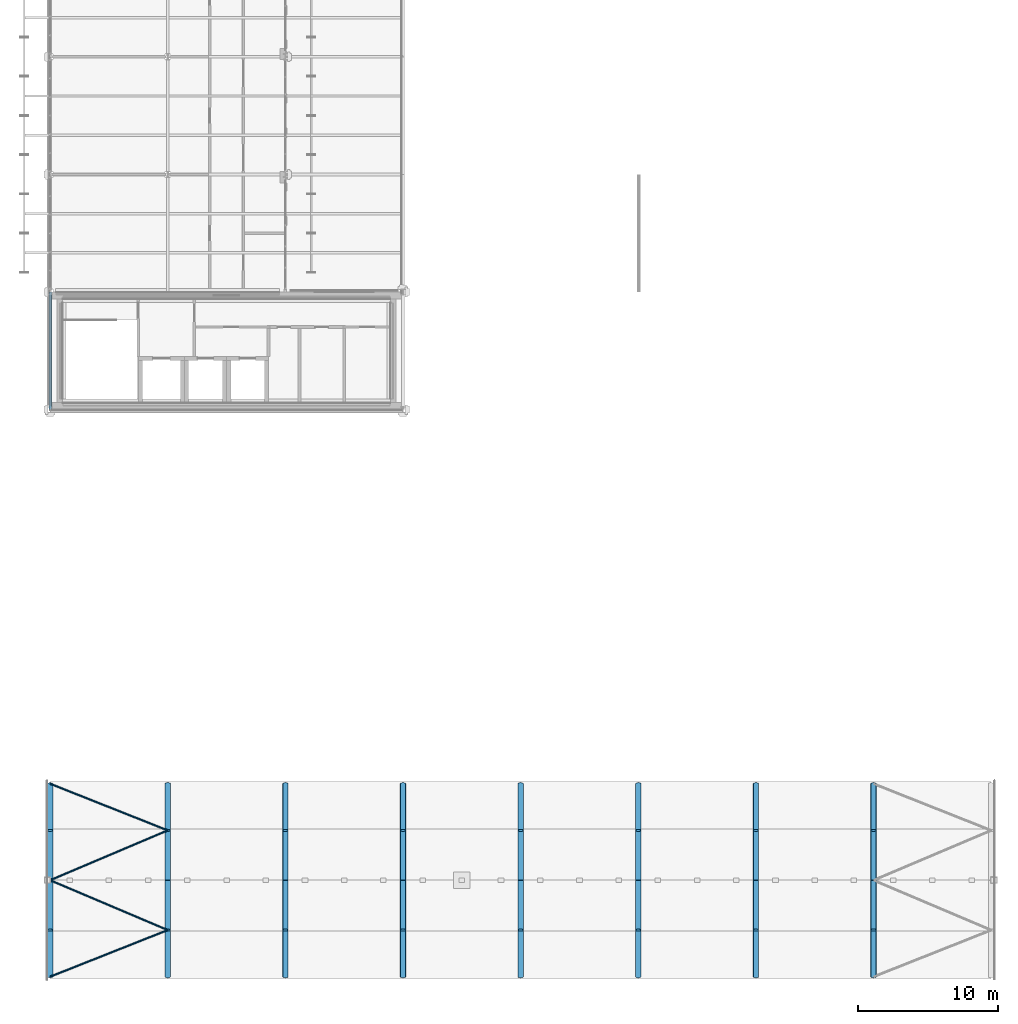
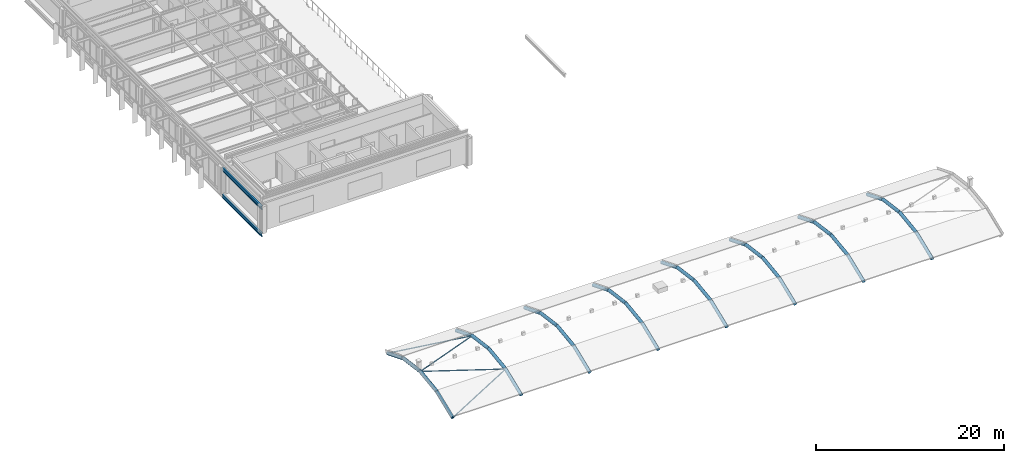
# One storey, part 3 of 31: 36 members, 2 beams.
"""IFC4 building model written with IfcOpenShell, lengths in metres."""

from ifc_helpers import new_model, si_unit, direction, frame, origin, origin_2d, place, context, subcontext, project, spatial, hollow_circle, i_section, extrude, material, material_profile, profile_set, type_object, element, save


model = new_model("IFC4")

# Units and contexts
model_context = context("Model", 3, precision=1e-05, world=origin(), true_north=direction((0.0, 1.0)))
body_context = subcontext(model_context, "Body", "Model", "MODEL_VIEW")
ifc_project = project(units=[si_unit("LENGTHUNIT", "METRE"), si_unit("AREAUNIT", "SQUARE_METRE"), si_unit("VOLUMEUNIT", "CUBIC_METRE"), si_unit("PLANEANGLEUNIT", "RADIAN"), si_unit("MASSUNIT", "GRAM", prefix="KILO")], contexts=[model_context])

# Site, building, storey
site_placement = place(None, origin())
site = spatial("IfcSite", under=ifc_project, at=site_placement, CompositionType="ELEMENT")
building_placement = place(site_placement, origin())
building = spatial("IfcBuilding", under=site, at=building_placement, Name="Catenary Quay Ferry Terminal", CompositionType="ELEMENT")
storey_placement = place(building_placement, frame((0.0, 0.0, 20.60009765625)))
storey = spatial("IfcBuildingStorey", under=building, at=storey_placement, Name="L04", CompositionType="ELEMENT", Elevation=20.60009765625)

# Beams
ifc_material_1 = material(Name="Steel S355", Category="steel")
ifc_material_profile_1 = material_profile(ifc_material_1, i_section(OverallWidth=0.18994140625, OverallDepth=0.453369140625, WebThickness=0.008544921875, FlangeThickness=0.0126953125, at=origin_2d()), Name="UB 457x191x67")
ifc_profile_set_1 = profile_set([ifc_material_profile_1], Name="Steel S355")
beam_type = type_object("IfcBeamType", Name="B1 UB 457x191x67", PredefinedType="BEAM", material=ifc_profile_set_1)
for number, where, z_axis, x_axis, name in (
    (1, (25.199951171875, 159.60009765625, -0.47705078125), (0.0, 1.0, 0.0), (-1.0, 0.0, 0.0), "Beam B1-010"),
    (2, (25.199951171875, 159.60009765625, 3.02294921875), (0.0, 1.0, 0.0), (-1.0, 0.0, 0.0), "Beam B1-007"),
):
    element("IfcBeam", number, at=place(storey_placement, frame(where, z_axis=z_axis, x_axis=x_axis)), inside=storey, type_object=beam_type, Name=name, PredefinedType="BEAM", context=body_context, shape_type="SweptSolid", body=[
        extrude(i_section(OverallWidth=0.18994140625, OverallDepth=0.453369140625, WebThickness=0.008544921875, FlangeThickness=0.0126953125, at=origin_2d()), origin(), (0.0, 0.0, 1.0), 8.39990234375),
    ])

# Members
ifc_material_2 = material(Name="Steel S355", Category="steel")
ifc_material_profile_2 = material_profile(ifc_material_2, hollow_circle(Radius=0.06982421875, WallThickness=0.008056640625, at=origin_2d()), Name="CHS 139.7x8")
ifc_profile_set_2 = profile_set([ifc_material_profile_2], Name="Steel S355")
member_type_1 = type_object("IfcMemberType", Name="BR1 CHS 139.7x8", PredefinedType="BRACE", material=ifc_profile_set_2)
member_1_placement = place(storey_placement, frame((25.199951171875, 119.110107421875, 0.386962890625), z_axis=(0.919578999052, 0.364629763829, 0.146354363903), x_axis=(-0.368598751281, 0.929588597474, 0.0)))
element("IfcMember", 3, at=member_1_placement, inside=storey, type_object=member_type_1, Name="Roof brace BR-VD-01-05", PredefinedType="BRACE", context=body_context, shape_type="SweptSolid", body=[
    extrude(hollow_circle(Radius=0.06982421875, WallThickness=0.008056640625, at=origin_2d()), origin(), (0.0, 0.0, 1.0), 9.134765625),
])
for number, where, z_axis, x_axis, name in (
    (4, (33.60009765625, 122.44091796875, 1.723876953125), (-0.91951247971, 0.38959086608, 0.052112922819), (-0.390120963043, -0.920763614721, 0.0), "Roof brace BR-VD-01-06"),
    (5, (25.199951171875, 126.0, 2.199951171875), (0.91951247971, 0.38959086608, -0.052112922819), (-0.390120963043, 0.920763614721, 0.0), "Roof brace BR-VD-01-07"),
):
    element("IfcMember", number, at=place(storey_placement, frame(where, z_axis=z_axis, x_axis=x_axis)), inside=storey, type_object=member_type_1, Name=name, PredefinedType="BRACE", context=body_context, shape_type="SweptSolid", body=[
        extrude(hollow_circle(Radius=0.06982421875, WallThickness=0.008056640625, at=origin_2d()), origin(), (0.0, 0.0, 1.0), 9.135498046875),
    ])
member_2_placement = place(storey_placement, frame((33.60009765625, 129.55908203125, 1.723876953125), z_axis=(-0.919578999052, 0.364629763829, -0.146354363903), x_axis=(-0.368598751281, -0.929588597474, 0.0)))
element("IfcMember", 6, at=member_2_placement, inside=storey, type_object=member_type_1, Name="Roof brace BR-VD-01-08", PredefinedType="BRACE", context=body_context, shape_type="SweptSolid", body=[
    extrude(hollow_circle(Radius=0.06982421875, WallThickness=0.008056640625, at=origin_2d()), origin(), (0.0, 0.0, 1.0), 9.134765625),
])
ifc_material_3 = material(Name="Steel S355", Category="steel")
ifc_material_profile_3 = material_profile(ifc_material_3, hollow_circle(Radius=0.203125, WallThickness=0.01611328125, at=origin_2d()), Name="CHS 406.4x16")
ifc_profile_set_3 = profile_set([ifc_material_profile_3], Name="Steel S355")
member_type_2 = type_object("IfcMemberType", Name="VR3 CHS 406.4x16", PredefinedType="RAFTER", material=ifc_profile_set_3)
member_3_placement = place(storey_placement, frame((25.199951171875, 119.110107421875, 0.386962890625), z_axis=(0.0, 0.928035060995, 0.372492853039), x_axis=(-1.0, 0.0, 0.0)))
element("IfcMember", 7, at=member_3_placement, inside=storey, type_object=member_type_2, Name="Vault rib VD-01-05", PredefinedType="RAFTER", context=body_context, shape_type="SweptSolid", body=[
    extrude(hollow_circle(Radius=0.203125, WallThickness=0.01611328125, at=origin_2d()), origin(), (0.0, 0.0, 1.0), 3.589111328125),
])
for number, where, z_axis, x_axis, name in (
    (8, (25.199951171875, 122.44091796875, 1.723876953125), (0.0, 0.991171994386, 0.132582342506), (-1.0, 0.0, 0.0), "Vault rib VD-01-06"),
    (9, (25.199951171875, 126.0, 2.199951171875), (0.0, 0.991171994386, -0.132582342506), (-1.0, 0.0, 0.0), "Vault rib VD-01-07"),
):
    element("IfcMember", number, at=place(storey_placement, frame(where, z_axis=z_axis, x_axis=x_axis)), inside=storey, type_object=member_type_2, Name=name, PredefinedType="RAFTER", context=body_context, shape_type="SweptSolid", body=[
        extrude(hollow_circle(Radius=0.203125, WallThickness=0.01611328125, at=origin_2d()), origin(), (0.0, 0.0, 1.0), 3.5908203125),
    ])
for number, where, z_axis, x_axis, name in (
    (10, (25.199951171875, 129.55908203125, 1.723876953125), (0.0, 0.928035060995, -0.372492853039), (-1.0, 0.0, 0.0), "Vault rib VD-01-08"),
    (11, (33.60009765625, 119.110107421875, 0.386962890625), (0.0, 0.928035060995, 0.372492853039), (-1.0, 0.0, 0.0), "Vault rib VD-02-05"),
):
    element("IfcMember", number, at=place(storey_placement, frame(where, z_axis=z_axis, x_axis=x_axis)), inside=storey, type_object=member_type_2, Name=name, PredefinedType="RAFTER", context=body_context, shape_type="SweptSolid", body=[
        extrude(hollow_circle(Radius=0.203125, WallThickness=0.01611328125, at=origin_2d()), origin(), (0.0, 0.0, 1.0), 3.589111328125),
    ])
for number, where, z_axis, x_axis, name in (
    (12, (33.60009765625, 122.44091796875, 1.723876953125), (0.0, 0.991171994386, 0.132582342506), (-1.0, 0.0, 0.0), "Vault rib VD-02-06"),
    (13, (33.60009765625, 126.0, 2.199951171875), (0.0, 0.991171994386, -0.132582342506), (-1.0, 0.0, 0.0), "Vault rib VD-02-07"),
):
    element("IfcMember", number, at=place(storey_placement, frame(where, z_axis=z_axis, x_axis=x_axis)), inside=storey, type_object=member_type_2, Name=name, PredefinedType="RAFTER", context=body_context, shape_type="SweptSolid", body=[
        extrude(hollow_circle(Radius=0.203125, WallThickness=0.01611328125, at=origin_2d()), origin(), (0.0, 0.0, 1.0), 3.5908203125),
    ])
for number, where, z_axis, x_axis, name in (
    (14, (33.60009765625, 129.55908203125, 1.723876953125), (0.0, 0.928035060995, -0.372492853039), (-1.0, 0.0, 0.0), "Vault rib VD-02-08"),
    (15, (42.0, 119.110107421875, 0.386962890625), (0.0, 0.928035060995, 0.372492853039), (-1.0, 0.0, 0.0), "Vault rib VD-03-05"),
):
    element("IfcMember", number, at=place(storey_placement, frame(where, z_axis=z_axis, x_axis=x_axis)), inside=storey, type_object=member_type_2, Name=name, PredefinedType="RAFTER", context=body_context, shape_type="SweptSolid", body=[
        extrude(hollow_circle(Radius=0.203125, WallThickness=0.01611328125, at=origin_2d()), origin(), (0.0, 0.0, 1.0), 3.589111328125),
    ])
for number, where, z_axis, x_axis, name in (
    (16, (42.0, 122.44091796875, 1.723876953125), (0.0, 0.991171994386, 0.132582342506), (-1.0, 0.0, 0.0), "Vault rib VD-03-06"),
    (17, (42.0, 126.0, 2.199951171875), (0.0, 0.991171994386, -0.132582342506), (-1.0, 0.0, 0.0), "Vault rib VD-03-07"),
):
    element("IfcMember", number, at=place(storey_placement, frame(where, z_axis=z_axis, x_axis=x_axis)), inside=storey, type_object=member_type_2, Name=name, PredefinedType="RAFTER", context=body_context, shape_type="SweptSolid", body=[
        extrude(hollow_circle(Radius=0.203125, WallThickness=0.01611328125, at=origin_2d()), origin(), (0.0, 0.0, 1.0), 3.5908203125),
    ])
for number, where, z_axis, x_axis, name in (
    (18, (42.0, 129.55908203125, 1.723876953125), (0.0, 0.928035060995, -0.372492853039), (-1.0, 0.0, 0.0), "Vault rib VD-03-08"),
    (19, (50.39990234375, 119.110107421875, 0.386962890625), (0.0, 0.928035060995, 0.372492853039), (-1.0, 0.0, 0.0), "Vault rib VD-04-05"),
):
    element("IfcMember", number, at=place(storey_placement, frame(where, z_axis=z_axis, x_axis=x_axis)), inside=storey, type_object=member_type_2, Name=name, PredefinedType="RAFTER", context=body_context, shape_type="SweptSolid", body=[
        extrude(hollow_circle(Radius=0.203125, WallThickness=0.01611328125, at=origin_2d()), origin(), (0.0, 0.0, 1.0), 3.589111328125),
    ])
for number, where, z_axis, x_axis, name in (
    (20, (50.39990234375, 122.44091796875, 1.723876953125), (0.0, 0.991171994386, 0.132582342506), (-1.0, 0.0, 0.0), "Vault rib VD-04-06"),
    (21, (50.39990234375, 126.0, 2.199951171875), (0.0, 0.991171994386, -0.132582342506), (-1.0, 0.0, 0.0), "Vault rib VD-04-07"),
):
    element("IfcMember", number, at=place(storey_placement, frame(where, z_axis=z_axis, x_axis=x_axis)), inside=storey, type_object=member_type_2, Name=name, PredefinedType="RAFTER", context=body_context, shape_type="SweptSolid", body=[
        extrude(hollow_circle(Radius=0.203125, WallThickness=0.01611328125, at=origin_2d()), origin(), (0.0, 0.0, 1.0), 3.5908203125),
    ])
for number, where, z_axis, x_axis, name in (
    (22, (50.39990234375, 129.55908203125, 1.723876953125), (0.0, 0.928035060995, -0.372492853039), (-1.0, 0.0, 0.0), "Vault rib VD-04-08"),
    (23, (58.800048828125, 119.110107421875, 0.386962890625), (0.0, 0.928035060995, 0.372492853039), (-1.0, 0.0, 0.0), "Vault rib VD-05-05"),
):
    element("IfcMember", number, at=place(storey_placement, frame(where, z_axis=z_axis, x_axis=x_axis)), inside=storey, type_object=member_type_2, Name=name, PredefinedType="RAFTER", context=body_context, shape_type="SweptSolid", body=[
        extrude(hollow_circle(Radius=0.203125, WallThickness=0.01611328125, at=origin_2d()), origin(), (0.0, 0.0, 1.0), 3.589111328125),
    ])
for number, where, z_axis, x_axis, name in (
    (24, (58.800048828125, 122.44091796875, 1.723876953125), (0.0, 0.991171994386, 0.132582342506), (-1.0, 0.0, 0.0), "Vault rib VD-05-06"),
    (25, (58.800048828125, 126.0, 2.199951171875), (0.0, 0.991171994386, -0.132582342506), (-1.0, 0.0, 0.0), "Vault rib VD-05-07"),
):
    element("IfcMember", number, at=place(storey_placement, frame(where, z_axis=z_axis, x_axis=x_axis)), inside=storey, type_object=member_type_2, Name=name, PredefinedType="RAFTER", context=body_context, shape_type="SweptSolid", body=[
        extrude(hollow_circle(Radius=0.203125, WallThickness=0.01611328125, at=origin_2d()), origin(), (0.0, 0.0, 1.0), 3.5908203125),
    ])
for number, where, z_axis, x_axis, name in (
    (26, (58.800048828125, 129.55908203125, 1.723876953125), (0.0, 0.928035060995, -0.372492853039), (-1.0, 0.0, 0.0), "Vault rib VD-05-08"),
    (27, (67.199951171875, 119.110107421875, 0.386962890625), (0.0, 0.928035060995, 0.372492853039), (-1.0, 0.0, 0.0), "Vault rib VD-06-05"),
):
    element("IfcMember", number, at=place(storey_placement, frame(where, z_axis=z_axis, x_axis=x_axis)), inside=storey, type_object=member_type_2, Name=name, PredefinedType="RAFTER", context=body_context, shape_type="SweptSolid", body=[
        extrude(hollow_circle(Radius=0.203125, WallThickness=0.01611328125, at=origin_2d()), origin(), (0.0, 0.0, 1.0), 3.589111328125),
    ])
for number, where, z_axis, x_axis, name in (
    (28, (67.199951171875, 122.44091796875, 1.723876953125), (0.0, 0.991171994386, 0.132582342506), (-1.0, 0.0, 0.0), "Vault rib VD-06-06"),
    (29, (67.199951171875, 126.0, 2.199951171875), (0.0, 0.991171994386, -0.132582342506), (-1.0, 0.0, 0.0), "Vault rib VD-06-07"),
):
    element("IfcMember", number, at=place(storey_placement, frame(where, z_axis=z_axis, x_axis=x_axis)), inside=storey, type_object=member_type_2, Name=name, PredefinedType="RAFTER", context=body_context, shape_type="SweptSolid", body=[
        extrude(hollow_circle(Radius=0.203125, WallThickness=0.01611328125, at=origin_2d()), origin(), (0.0, 0.0, 1.0), 3.5908203125),
    ])
for number, where, z_axis, x_axis, name in (
    (30, (67.199951171875, 129.55908203125, 1.723876953125), (0.0, 0.928035060995, -0.372492853039), (-1.0, 0.0, 0.0), "Vault rib VD-06-08"),
    (31, (75.60009765625, 119.110107421875, 0.386962890625), (0.0, 0.928035060995, 0.372492853039), (-1.0, 0.0, 0.0), "Vault rib VD-07-05"),
):
    element("IfcMember", number, at=place(storey_placement, frame(where, z_axis=z_axis, x_axis=x_axis)), inside=storey, type_object=member_type_2, Name=name, PredefinedType="RAFTER", context=body_context, shape_type="SweptSolid", body=[
        extrude(hollow_circle(Radius=0.203125, WallThickness=0.01611328125, at=origin_2d()), origin(), (0.0, 0.0, 1.0), 3.589111328125),
    ])
for number, where, z_axis, x_axis, name in (
    (32, (75.60009765625, 122.44091796875, 1.723876953125), (0.0, 0.991171994386, 0.132582342506), (-1.0, 0.0, 0.0), "Vault rib VD-07-06"),
    (33, (75.60009765625, 126.0, 2.199951171875), (0.0, 0.991171994386, -0.132582342506), (-1.0, 0.0, 0.0), "Vault rib VD-07-07"),
):
    element("IfcMember", number, at=place(storey_placement, frame(where, z_axis=z_axis, x_axis=x_axis)), inside=storey, type_object=member_type_2, Name=name, PredefinedType="RAFTER", context=body_context, shape_type="SweptSolid", body=[
        extrude(hollow_circle(Radius=0.203125, WallThickness=0.01611328125, at=origin_2d()), origin(), (0.0, 0.0, 1.0), 3.5908203125),
    ])
for number, where, z_axis, x_axis, name in (
    (34, (75.60009765625, 129.55908203125, 1.723876953125), (0.0, 0.928035060995, -0.372492853039), (-1.0, 0.0, 0.0), "Vault rib VD-07-08"),
    (35, (84.0, 119.110107421875, 0.386962890625), (0.0, 0.928035060995, 0.372492853039), (-1.0, 0.0, 0.0), "Vault rib VD-08-05"),
):
    element("IfcMember", number, at=place(storey_placement, frame(where, z_axis=z_axis, x_axis=x_axis)), inside=storey, type_object=member_type_2, Name=name, PredefinedType="RAFTER", context=body_context, shape_type="SweptSolid", body=[
        extrude(hollow_circle(Radius=0.203125, WallThickness=0.01611328125, at=origin_2d()), origin(), (0.0, 0.0, 1.0), 3.589111328125),
    ])
for number, where, z_axis, x_axis, name in (
    (36, (84.0, 122.44091796875, 1.723876953125), (0.0, 0.991171994386, 0.132582342506), (-1.0, 0.0, 0.0), "Vault rib VD-08-06"),
    (37, (84.0, 126.0, 2.199951171875), (0.0, 0.991171994386, -0.132582342506), (-1.0, 0.0, 0.0), "Vault rib VD-08-07"),
):
    element("IfcMember", number, at=place(storey_placement, frame(where, z_axis=z_axis, x_axis=x_axis)), inside=storey, type_object=member_type_2, Name=name, PredefinedType="RAFTER", context=body_context, shape_type="SweptSolid", body=[
        extrude(hollow_circle(Radius=0.203125, WallThickness=0.01611328125, at=origin_2d()), origin(), (0.0, 0.0, 1.0), 3.5908203125),
    ])
member_4_placement = place(storey_placement, frame((84.0, 129.55908203125, 1.723876953125), z_axis=(0.0, 0.928035060995, -0.372492853039), x_axis=(-1.0, 0.0, 0.0)))
element("IfcMember", 38, at=member_4_placement, inside=storey, type_object=member_type_2, Name="Vault rib VD-08-08", PredefinedType="RAFTER", context=body_context, shape_type="SweptSolid", body=[
    extrude(hollow_circle(Radius=0.203125, WallThickness=0.01611328125, at=origin_2d()), origin(), (0.0, 0.0, 1.0), 3.589111328125),
])

save(model, "model.ifc")
